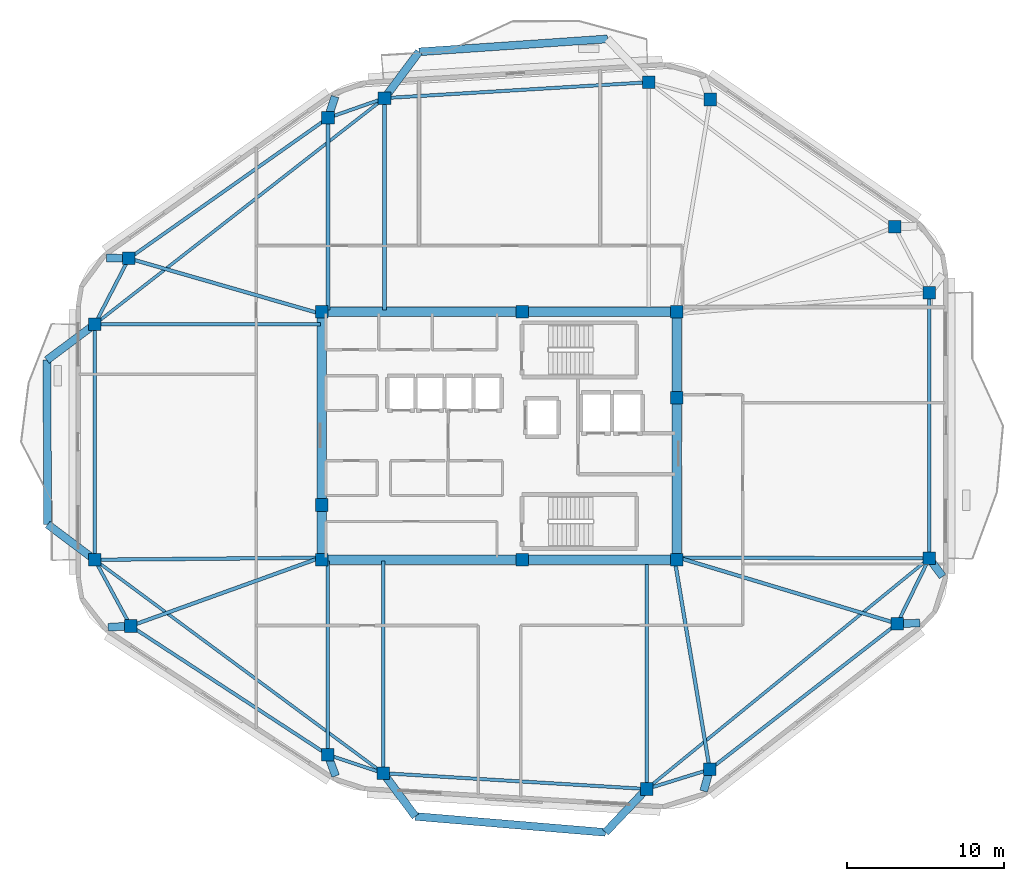
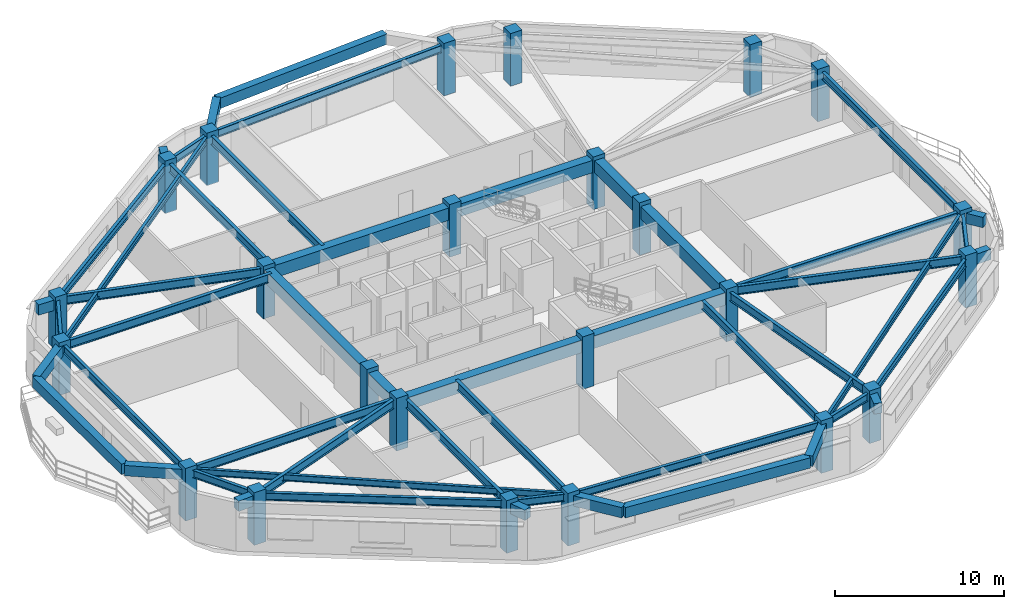
# One storey, part 1 of 9: 51 beams, 24 columns.
"""IFC4 building model written with IfcOpenShell, lengths in metres."""

from ifc_helpers import new_model, si_unit, direction, frame, origin, origin_2d, place, context, subcontext, project, spatial, rectangle, i_section, extrude, material, material_profile, profile_set, type_object, element, save


model = new_model("IFC4")

# Units and contexts
model_context = context("Model", 3, precision=1e-05, world=origin(), true_north=direction((0.0, 1.0)))
body_context = subcontext(model_context, "Body", "Model", "MODEL_VIEW")
ifc_project = project(units=[si_unit("LENGTHUNIT", "METRE"), si_unit("AREAUNIT", "SQUARE_METRE"), si_unit("VOLUMEUNIT", "CUBIC_METRE"), si_unit("PLANEANGLEUNIT", "RADIAN"), si_unit("MASSUNIT", "GRAM", prefix="KILO")], contexts=[model_context])

# Site, building, storey
site_placement = place(None, origin())
site = spatial("IfcSite", under=ifc_project, at=site_placement, CompositionType="ELEMENT")
building_placement = place(site_placement, origin())
building = spatial("IfcBuilding", under=site, at=building_placement, Name="Zulverin Broadcast Headquarters", CompositionType="ELEMENT")
storey_placement = place(building_placement, frame((0.0, 0.0, 266.800048828125)))
storey = spatial("IfcBuildingStorey", under=building, at=storey_placement, Name="L68", CompositionType="ELEMENT", Elevation=266.800048828125)

# Columns
ifc_material_1 = material(Name="Concrete C50/60", Category="concrete")
ifc_material_profile_1 = material_profile(ifc_material_1, rectangle(XDim=0.800048828125, YDim=0.800048828125, at=origin_2d()), Name="Concrete C50/60", Category="concrete")
ifc_profile_set_1 = profile_set([ifc_material_profile_1], Name="Concrete C50/60")
column_type_1 = type_object("IfcColumnType", Name="COL-RC-800", PredefinedType="COLUMN", material=ifc_profile_set_1)
for number, where, z_axis, x_axis, name in (
    (1, (29.6220703125, 3.763671875, 0.0), (0.0, 0.0, 1.0), (1.0, 0.0, 0.0), "L68 Perimeter Column T01"),
    (2, (46.3515625, 2.759521484375, 0.0), (0.0, 0.0, 1.0), (1.0, 0.0, 0.0), "L68 Perimeter Column T02"),
    (3, (50.361083984375, 4.001708984375, 0.0), (0.0, 0.0, 1.0), (1.0, 0.0, 0.0), "L68 Perimeter Column T03"),
    (4, (62.272216796875, 13.262451171875, 0.0), (0.0, 0.0, 1.0), (1.0, 0.0, 0.0), "L68 Perimeter Column T04"),
    (5, (64.300048828125, 17.40771484375, 0.0), (0.0, 0.0, 1.0), (1.0, 0.0, 0.0), "L68 Perimeter Column T05"),
    (6, (64.300048828125, 34.275634765625, 0.0), (0.0, 0.0, 1.0), (1.0, 0.0, 0.0), "L68 Perimeter Column T06"),
    (7, (62.102783203125, 38.465087890625, 0.0), (0.0, 0.0, 1.0), (1.0, 0.0, 0.0), "L68 Perimeter Column T07"),
    (8, (50.39794921875, 46.554443359375, 0.0), (0.0, 0.0, 1.0), (1.0, 0.0, 0.0), "L68 Perimeter Column T08"),
    (9, (46.4814453125, 47.6484375, 0.0), (0.0, 0.0, 1.0), (1.0, 0.0, 0.0), "L68 Perimeter Column T09"),
    (10, (29.70068359375, 46.64111328125, 0.0), (0.0, 0.0, 1.0), (1.0, 0.0, 0.0), "L68 Perimeter Column T10"),
    (11, (26.11474609375, 45.383544921875, 0.0), (0.0, 0.0, 1.0), (1.0, 0.0, 0.0), "L68 Perimeter Column T11"),
    (12, (13.46728515625, 36.457763671875, 0.0), (0.0, 0.0, 1.0), (1.0, 0.0, 0.0), "L68 Perimeter Column T12"),
    (13, (11.300048828125, 32.275390625, 0.0), (0.0, 0.0, 1.0), (1.0, 0.0, 0.0), "L68 Perimeter Column T13"),
    (14, (11.300048828125, 17.318603515625, 0.0), (0.0, 0.0, 1.0), (1.0, 0.0, 0.0), "L68 Perimeter Column T14"),
    (15, (13.576416015625, 13.11181640625, 0.0), (0.0, 0.0, 1.0), (1.0, 0.0, 0.0), "L68 Perimeter Column T15"),
    (16, (26.098876953125, 4.9287109375, 0.0), (0.0, 0.0, 1.0), (1.0, 0.0, 0.0), "L68 Perimeter Column T16"),
):
    element("IfcColumn", number, at=place(storey_placement, frame(where, z_axis=z_axis, x_axis=x_axis)), inside=storey, type_object=column_type_1, Name=name, PredefinedType="COLUMN", context=body_context, shape_type="SweptSolid", body=[
        extrude(rectangle(XDim=0.800048828125, YDim=0.800048828125, at=origin_2d()), origin(), (0.0, 0.0, 1.0), 3.800048828125),
    ])
ifc_material_profile_2 = material_profile(ifc_material_1, rectangle(XDim=0.800048828125, YDim=0.800048828125, at=origin_2d()), Name="Concrete C50/60", Category="concrete")
ifc_profile_set_2 = profile_set([ifc_material_profile_2], Name="Concrete C50/60")
column_type_2 = type_object("IfcColumnType", Name="PIL-RC-800", PredefinedType="PILASTER", material=ifc_profile_set_2)
for number, where, z_axis, x_axis, name in (
    (17, (25.72509765625, 17.324951171875, 0.0), (0.0, 0.0, 1.0), (1.0, 0.0, 0.0), "L68 Core Pilaster K01"),
    (18, (38.449951171875, 17.324951171875, 0.0), (0.0, 0.0, 1.0), (1.0, 0.0, 0.0), "L68 Core Pilaster K02"),
    (19, (48.27490234375, 17.324951171875, 0.0), (0.0, 0.0, 1.0), (1.0, 0.0, 0.0), "L68 Core Pilaster K03"),
    (20, (48.27490234375, 27.6201171875, 0.0), (0.0, 0.0, 1.0), (1.0, 0.0, 0.0), "L68 Core Pilaster K04"),
    (21, (48.27490234375, 33.074951171875, 0.0), (0.0, 0.0, 1.0), (1.0, 0.0, 0.0), "L68 Core Pilaster K05"),
    (22, (38.449951171875, 33.074951171875, 0.0), (0.0, 0.0, 1.0), (1.0, 0.0, 0.0), "L68 Core Pilaster K06"),
    (23, (25.72509765625, 33.074951171875, 0.0), (0.0, 0.0, 1.0), (1.0, 0.0, 0.0), "L68 Core Pilaster K07"),
    (24, (25.72509765625, 20.800048828125, 0.0), (0.0, 0.0, 1.0), (1.0, 0.0, 0.0), "L68 Core Pilaster K08"),
):
    element("IfcColumn", number, at=place(storey_placement, frame(where, z_axis=z_axis, x_axis=x_axis)), inside=storey, type_object=column_type_2, Name=name, PredefinedType="PILASTER", context=body_context, shape_type="SweptSolid", body=[
        extrude(rectangle(XDim=0.800048828125, YDim=0.800048828125, at=origin_2d()), origin(), (0.0, 0.0, 1.0), 3.800048828125),
    ])

# Beams
ifc_material_2 = material(Name="Concrete C60/75", Category="concrete")
ifc_material_profile_3 = material_profile(ifc_material_2, rectangle(XDim=0.60009765625, YDim=0.89990234375, at=origin_2d()), Name="Concrete C60/75", Category="concrete")
ifc_profile_set_3 = profile_set([ifc_material_profile_3], Name="Concrete C60/75")
beam_type_1 = type_object("IfcBeamType", Name="BM-CB-600x900", PredefinedType="LINTEL", material=ifc_profile_set_3)
beam_1_placement = place(storey_placement, frame((25.72509765625, 17.324951171875, 3.06005859375), z_axis=(1.0, 0.0, 0.0), x_axis=(0.0, 1.0, 0.0)))
element("IfcBeam", 25, at=beam_1_placement, inside=storey, type_object=beam_type_1, Name="L68 Core Coupling Girder K01-K02", PredefinedType="LINTEL", context=body_context, shape_type="SweptSolid", body=[
    extrude(rectangle(XDim=0.60009765625, YDim=0.89990234375, at=origin_2d()), origin(), (0.0, 0.0, 1.0), 12.724853515625),
])
beam_2_placement = place(storey_placement, frame((38.449951171875, 17.324951171875, 3.06005859375), z_axis=(1.0, 0.0, 0.0), x_axis=(0.0, 1.0, 0.0)))
element("IfcBeam", 26, at=beam_2_placement, inside=storey, type_object=beam_type_1, Name="L68 Core Coupling Girder K02-K03", PredefinedType="LINTEL", context=body_context, shape_type="SweptSolid", body=[
    extrude(rectangle(XDim=0.60009765625, YDim=0.89990234375, at=origin_2d()), origin(), (0.0, 0.0, 1.0), 9.824951171875),
])
beam_3_placement = place(storey_placement, frame((48.27490234375, 17.324951171875, 3.06005859375), z_axis=(0.0, 1.0, 0.0), x_axis=(-1.0, 0.0, 0.0)))
element("IfcBeam", 27, at=beam_3_placement, inside=storey, type_object=beam_type_1, Name="L68 Core Coupling Girder K03-K04", PredefinedType="LINTEL", context=body_context, shape_type="SweptSolid", body=[
    extrude(rectangle(XDim=0.60009765625, YDim=0.89990234375, at=origin_2d()), origin(), (0.0, 0.0, 1.0), 10.295166015625),
])
beam_4_placement = place(storey_placement, frame((48.27490234375, 27.6201171875, 3.06005859375), z_axis=(0.0, 1.0, 0.0), x_axis=(-1.0, 0.0, 0.0)))
element("IfcBeam", 28, at=beam_4_placement, inside=storey, type_object=beam_type_1, Name="L68 Core Coupling Girder K04-K05", PredefinedType="LINTEL", context=body_context, shape_type="SweptSolid", body=[
    extrude(rectangle(XDim=0.60009765625, YDim=0.89990234375, at=origin_2d()), origin(), (0.0, 0.0, 1.0), 5.454833984375),
])
beam_5_placement = place(storey_placement, frame((48.27490234375, 33.074951171875, 3.06005859375), z_axis=(-1.0, 0.0, 0.0), x_axis=(0.0, -1.0, 0.0)))
element("IfcBeam", 29, at=beam_5_placement, inside=storey, type_object=beam_type_1, Name="L68 Core Coupling Girder K05-K06", PredefinedType="LINTEL", context=body_context, shape_type="SweptSolid", body=[
    extrude(rectangle(XDim=0.60009765625, YDim=0.89990234375, at=origin_2d()), origin(), (0.0, 0.0, 1.0), 9.824951171875),
])
beam_6_placement = place(storey_placement, frame((38.449951171875, 33.074951171875, 3.06005859375), z_axis=(-1.0, 0.0, 0.0), x_axis=(0.0, -1.0, 0.0)))
element("IfcBeam", 30, at=beam_6_placement, inside=storey, type_object=beam_type_1, Name="L68 Core Coupling Girder K06-K07", PredefinedType="LINTEL", context=body_context, shape_type="SweptSolid", body=[
    extrude(rectangle(XDim=0.60009765625, YDim=0.89990234375, at=origin_2d()), origin(), (0.0, 0.0, 1.0), 12.724853515625),
])
beam_7_placement = place(storey_placement, frame((25.72509765625, 33.074951171875, 3.06005859375), z_axis=(0.0, -1.0, 0.0), x_axis=(1.0, 0.0, 0.0)))
element("IfcBeam", 31, at=beam_7_placement, inside=storey, type_object=beam_type_1, Name="L68 Core Coupling Girder K07-K08", PredefinedType="LINTEL", context=body_context, shape_type="SweptSolid", body=[
    extrude(rectangle(XDim=0.60009765625, YDim=0.89990234375, at=origin_2d()), origin(), (0.0, 0.0, 1.0), 12.27490234375),
])
beam_8_placement = place(storey_placement, frame((25.72509765625, 20.800048828125, 3.06005859375), z_axis=(0.0, -1.0, 0.0), x_axis=(1.0, 0.0, 0.0)))
element("IfcBeam", 32, at=beam_8_placement, inside=storey, type_object=beam_type_1, Name="L68 Core Coupling Girder K08-K01", PredefinedType="LINTEL", context=body_context, shape_type="SweptSolid", body=[
    extrude(rectangle(XDim=0.60009765625, YDim=0.89990234375, at=origin_2d()), origin(), (0.0, 0.0, 1.0), 3.47509765625),
])
ifc_material_3 = material(Name="Concrete C40/50", Category="concrete")
ifc_material_profile_4 = material_profile(ifc_material_3, rectangle(XDim=0.5, YDim=0.75, at=origin_2d()), Name="Concrete C40/50", Category="concrete")
ifc_profile_set_4 = profile_set([ifc_material_profile_4], Name="Concrete C40/50")
beam_type_2 = type_object("IfcBeamType", Name="BM-RC-500x750", PredefinedType="BEAM", material=ifc_profile_set_4)
beam_9_placement = place(storey_placement, frame((50.361083984375, 4.001708984375, 3.135009765625), z_axis=(-0.269914876125, -0.962884188076, 0.0), x_axis=(0.962884188076, -0.269914876125, 0.0)))
element("IfcBeam", 33, at=beam_9_placement, inside=storey, type_object=beam_type_2, Name="L69 Plate Overhang Back-Spanned Beam OVR-03", PredefinedType="BEAM", context=body_context, shape_type="SweptSolid", body=[
    extrude(rectangle(XDim=0.5, YDim=0.75, at=origin_2d()), origin(), (0.0, 0.0, 1.0), 1.429931640625),
])
beam_10_placement = place(storey_placement, frame((62.272216796875, 13.262451171875, 3.135009765625), z_axis=(0.999706131466, 0.024241507969, 0.0), x_axis=(-0.024241507969, 0.999706131466, 0.0)))
element("IfcBeam", 34, at=beam_10_placement, inside=storey, type_object=beam_type_2, Name="L69 Plate Overhang Back-Spanned Beam OVR-04", PredefinedType="BEAM", context=body_context, shape_type="SweptSolid", body=[
    extrude(rectangle(XDim=0.5, YDim=0.75, at=origin_2d()), origin(), (0.0, 0.0, 1.0), 1.43017578125),
])
beam_11_placement = place(storey_placement, frame((64.300048828125, 17.40771484375, 3.135009765625), z_axis=(0.594357454608, -0.80420097995, 0.0), x_axis=(0.80420097995, 0.594357454608, 0.0)))
element("IfcBeam", 35, at=beam_11_placement, inside=storey, type_object=beam_type_2, Name="L69 Plate Overhang Back-Spanned Beam OVR-05", PredefinedType="BEAM", context=body_context, shape_type="SweptSolid", body=[
    extrude(rectangle(XDim=0.5, YDim=0.75, at=origin_2d()), origin(), (0.0, 0.0, 1.0), 1.429931640625),
])
beam_12_placement = place(storey_placement, frame((26.11474609375, 45.383544921875, 3.135009765625), z_axis=(0.314280982662, 0.94933000792, 0.0), x_axis=(-0.94933000792, 0.314280982662, 0.0)))
element("IfcBeam", 36, at=beam_12_placement, inside=storey, type_object=beam_type_2, Name="L69 Plate Overhang Back-Spanned Beam OVR-11", PredefinedType="BEAM", context=body_context, shape_type="SweptSolid", body=[
    extrude(rectangle(XDim=0.5, YDim=0.75, at=origin_2d()), origin(), (0.0, 0.0, 1.0), 1.43017578125),
])
beam_13_placement = place(storey_placement, frame((13.46728515625, 36.457763671875, 3.135009765625), z_axis=(-0.999761201155, 0.02185270385, 0.0), x_axis=(-0.02185270385, -0.999761201155, 0.0)))
element("IfcBeam", 37, at=beam_13_placement, inside=storey, type_object=beam_type_2, Name="L69 Plate Overhang Back-Spanned Beam OVR-12", PredefinedType="BEAM", context=body_context, shape_type="SweptSolid", body=[
    extrude(rectangle(XDim=0.5, YDim=0.75, at=origin_2d()), origin(), (0.0, 0.0, 1.0), 1.429931640625),
])
beam_14_placement = place(storey_placement, frame((13.576416015625, 13.11181640625, 3.135009765625), z_axis=(-0.998333895448, -0.057701240879, 0.0), x_axis=(0.057701240879, -0.998333895448, 0.0)))
element("IfcBeam", 38, at=beam_14_placement, inside=storey, type_object=beam_type_2, Name="L69 Plate Overhang Back-Spanned Beam OVR-15", PredefinedType="BEAM", context=body_context, shape_type="SweptSolid", body=[
    extrude(rectangle(XDim=0.5, YDim=0.75, at=origin_2d()), origin(), (0.0, 0.0, 1.0), 1.43017578125),
])
beam_15_placement = place(storey_placement, frame((26.098876953125, 4.9287109375, 3.135009765625), z_axis=(0.348109371259, -0.93745392721, 0.0), x_axis=(0.93745392721, 0.348109371259, 0.0)))
element("IfcBeam", 39, at=beam_15_placement, inside=storey, type_object=beam_type_2, Name="L69 Plate Overhang Back-Spanned Beam OVR-16", PredefinedType="BEAM", context=body_context, shape_type="SweptSolid", body=[
    extrude(rectangle(XDim=0.5, YDim=0.75, at=origin_2d()), origin(), (0.0, 0.0, 1.0), 1.429931640625),
])
beam_16_placement = place(storey_placement, frame((29.70068359375, 46.64111328125, 3.135009765625), z_axis=(0.597770934078, 0.801666957265, 0.0), x_axis=(-0.801666957265, 0.597770934078, 0.0)))
element("IfcBeam", 40, at=beam_16_placement, inside=storey, type_object=beam_type_2, Name="L69 Balcony Column-Framed Cantilever BAL_N-2", PredefinedType="BEAM", context=body_context, shape_type="SweptSolid", body=[
    extrude(rectangle(XDim=0.5, YDim=0.75, at=origin_2d()), origin(), (0.0, 0.0, 1.0), 3.666259765625),
])
beam_17_placement = place(storey_placement, frame((43.86181640625, 50.401123046875, 3.135009765625), z_axis=(-0.997657031837, -0.068413791197, 0.0), x_axis=(0.068413791197, -0.997657031837, 0.0)))
element("IfcBeam", 41, at=beam_17_placement, inside=storey, type_object=beam_type_2, Name="L69 Balcony Outer Edge Trimmer Beam BAL_N", PredefinedType="BEAM", context=body_context, shape_type="SweptSolid", body=[
    extrude(rectangle(XDim=0.5, YDim=0.75, at=origin_2d()), origin(), (0.0, 0.0, 1.0), 11.99755859375),
])
beam_18_placement = place(storey_placement, frame((11.300048828125, 32.275390625, 3.135009765625), z_axis=(-0.80024663654, -0.599671010394, 0.0), x_axis=(0.599671010394, -0.80024663654, 0.0)))
element("IfcBeam", 42, at=beam_18_placement, inside=storey, type_object=beam_type_2, Name="L69 Balcony Column-Framed Cantilever BAL_W-1", PredefinedType="BEAM", context=body_context, shape_type="SweptSolid", body=[
    extrude(rectangle(XDim=0.5, YDim=0.75, at=origin_2d()), origin(), (0.0, 0.0, 1.0), 3.800048828125),
])
beam_19_placement = place(storey_placement, frame((11.300048828125, 17.318603515625, 3.135009765625), z_axis=(-0.80025049791, 0.599665857452, 0.0), x_axis=(-0.599665857452, -0.80025049791, 0.0)))
element("IfcBeam", 43, at=beam_19_placement, inside=storey, type_object=beam_type_2, Name="L69 Balcony Column-Framed Cantilever BAL_W-2", PredefinedType="BEAM", context=body_context, shape_type="SweptSolid", body=[
    extrude(rectangle(XDim=0.5, YDim=0.75, at=origin_2d()), origin(), (0.0, 0.0, 1.0), 3.741455078125),
])
beam_20_placement = place(storey_placement, frame((8.259033203125, 29.99658203125, 3.135009765625), z_axis=(0.004492338674, -0.999989909396, 0.0), x_axis=(0.999989909396, 0.004492338674, 0.0)))
element("IfcBeam", 44, at=beam_20_placement, inside=storey, type_object=beam_type_2, Name="L69 Balcony Outer Edge Trimmer Beam BAL_W", PredefinedType="BEAM", context=body_context, shape_type="SweptSolid", body=[
    extrude(rectangle(XDim=0.5, YDim=0.75, at=origin_2d()), origin(), (0.0, 0.0, 1.0), 10.434326171875),
])
beam_21_placement = place(storey_placement, frame((29.6220703125, 3.763671875, 3.135009765625), z_axis=(0.596524912224, -0.802594560844, 0.0), x_axis=(0.802594560844, 0.596524912224, 0.0)))
element("IfcBeam", 45, at=beam_21_placement, inside=storey, type_object=beam_type_2, Name="L69 Balcony Column-Framed Cantilever BAL_S-1", PredefinedType="BEAM", context=body_context, shape_type="SweptSolid", body=[
    extrude(rectangle(XDim=0.5, YDim=0.75, at=origin_2d()), origin(), (0.0, 0.0, 1.0), 3.4228515625),
])
beam_22_placement = place(storey_placement, frame((46.3515625, 2.759521484375, 3.135009765625), z_axis=(-0.688229218548, -0.725493309918, 0.0), x_axis=(0.725493309918, -0.688229218548, 0.0)))
element("IfcBeam", 46, at=beam_22_placement, inside=storey, type_object=beam_type_2, Name="L69 Balcony Column-Framed Cantilever BAL_S-2", PredefinedType="BEAM", context=body_context, shape_type="SweptSolid", body=[
    extrude(rectangle(XDim=0.5, YDim=0.75, at=origin_2d()), origin(), (0.0, 0.0, 1.0), 3.800048828125),
])
beam_23_placement = place(storey_placement, frame((31.663818359375, 1.0166015625, 3.135009765625), z_axis=(0.99649176449, -0.08369087945, 0.0), x_axis=(0.08369087945, 0.99649176449, 0.0)))
element("IfcBeam", 47, at=beam_23_placement, inside=storey, type_object=beam_type_2, Name="L69 Balcony Outer Edge Trimmer Beam BAL_S", PredefinedType="BEAM", context=body_context, shape_type="SweptSolid", body=[
    extrude(rectangle(XDim=0.5, YDim=0.75, at=origin_2d()), origin(), (0.0, 0.0, 1.0), 12.114990234375),
])
ifc_material_4 = material(Name="Structural steel S355JR", Category="steel")
ifc_material_profile_5 = material_profile(ifc_material_4, i_section(OverallWidth=0.19287109375, OverallDepth=0.46728515625, WebThickness=0.011474609375, FlangeThickness=0.01953125, at=origin_2d()), Name="Structural steel S355JR", Category="steel")
ifc_profile_set_5 = profile_set([ifc_material_profile_5], Name="Structural steel S355JR")
beam_type_3 = type_object("IfcBeamType", Name="BM-UB-457", PredefinedType="JOIST", material=ifc_profile_set_5)
beam_24_placement = place(storey_placement, frame((46.3515625, 2.759521484375, 3.2763671875), z_axis=(0.77473799882, 0.632282399869, 0.0), x_axis=(-0.632282399869, 0.77473799882, 0.0)))
element("IfcBeam", 48, at=beam_24_placement, inside=storey, type_object=beam_type_3, Name="L68 Chordal Floor Joist J-01", PredefinedType="JOIST", context=body_context, shape_type="SweptSolid", body=[
    extrude(i_section(OverallWidth=0.19287109375, OverallDepth=0.46728515625, WebThickness=0.011474609375, FlangeThickness=0.01953125, at=origin_2d()), origin(), (0.0, 0.0, 1.0), 23.167236328125),
])
beam_25_placement = place(storey_placement, frame((29.70068359375, 46.64111328125, 3.2763671875), z_axis=(-0.788227438956, -0.615384030079, 0.0), x_axis=(0.615384030079, -0.788227438956, 0.0)))
element("IfcBeam", 49, at=beam_25_placement, inside=storey, type_object=beam_type_3, Name="L68 Chordal Floor Joist J-03", PredefinedType="JOIST", context=body_context, shape_type="SweptSolid", body=[
    extrude(i_section(OverallWidth=0.19287109375, OverallDepth=0.46728515625, WebThickness=0.011474609375, FlangeThickness=0.01953125, at=origin_2d()), origin(), (0.0, 0.0, 1.0), 23.34423828125),
])
beam_26_placement = place(storey_placement, frame((11.300048828125, 17.318603515625, 3.2763671875), z_axis=(0.803912476144, -0.594747619332, 0.0), x_axis=(0.594747619332, 0.803912476144, 0.0)))
element("IfcBeam", 50, at=beam_26_placement, inside=storey, type_object=beam_type_3, Name="L68 Chordal Floor Joist J-04", PredefinedType="JOIST", context=body_context, shape_type="SweptSolid", body=[
    extrude(i_section(OverallWidth=0.19287109375, OverallDepth=0.46728515625, WebThickness=0.011474609375, FlangeThickness=0.01953125, at=origin_2d()), origin(), (0.0, 0.0, 1.0), 22.791015625),
])
ifc_material_profile_6 = material_profile(ifc_material_4, i_section(OverallWidth=0.2119140625, OverallDepth=0.54443359375, WebThickness=0.0126953125, FlangeThickness=0.021240234375, at=origin_2d()), Name="Structural steel S355JR", Category="steel")
ifc_profile_set_6 = profile_set([ifc_material_profile_6], Name="Structural steel S355JR")
beam_type_4 = type_object("IfcBeamType", Name="BM-UB-533", PredefinedType="SPANDREL", material=ifc_profile_set_6)
beam_27_placement = place(storey_placement, frame((29.6220703125, 3.763671875, 3.23779296875), z_axis=(0.998203486609, -0.059914934044, 0.0), x_axis=(0.059914934044, 0.998203486609, 0.0)))
element("IfcBeam", 51, at=beam_27_placement, inside=storey, type_object=beam_type_4, Name="L68 Perimeter Spandrel Beam SP-01", PredefinedType="SPANDREL", context=body_context, shape_type="SweptSolid", body=[
    extrude(i_section(OverallWidth=0.2119140625, OverallDepth=0.54443359375, WebThickness=0.0126953125, FlangeThickness=0.021240234375, at=origin_2d()), origin(), (0.0, 0.0, 1.0), 16.759521484375),
])
beam_28_placement = place(storey_placement, frame((46.3515625, 2.759521484375, 3.23779296875), z_axis=(0.955208799219, 0.295932677978, 0.0), x_axis=(-0.295932677978, 0.955208799219, 0.0)))
element("IfcBeam", 52, at=beam_28_placement, inside=storey, type_object=beam_type_4, Name="L68 Perimeter Spandrel Beam SP-02", PredefinedType="SPANDREL", context=body_context, shape_type="SweptSolid", body=[
    extrude(i_section(OverallWidth=0.2119140625, OverallDepth=0.54443359375, WebThickness=0.0126953125, FlangeThickness=0.021240234375, at=origin_2d()), origin(), (0.0, 0.0, 1.0), 4.197509765625),
])
beam_29_placement = place(storey_placement, frame((50.361083984375, 4.001708984375, 3.23779296875), z_axis=(0.789463732329, 0.613797210271, 0.0), x_axis=(-0.613797210271, 0.789463732329, 0.0)))
element("IfcBeam", 53, at=beam_29_placement, inside=storey, type_object=beam_type_4, Name="L68 Perimeter Spandrel Beam SP-03", PredefinedType="SPANDREL", context=body_context, shape_type="SweptSolid", body=[
    extrude(i_section(OverallWidth=0.2119140625, OverallDepth=0.54443359375, WebThickness=0.0126953125, FlangeThickness=0.021240234375, at=origin_2d()), origin(), (0.0, 0.0, 1.0), 15.087646484375),
])
beam_30_placement = place(storey_placement, frame((62.272216796875, 13.262451171875, 3.23779296875), z_axis=(0.439430258265, 0.898276710219, 0.0), x_axis=(-0.898276710219, 0.439430258265, 0.0)))
element("IfcBeam", 54, at=beam_30_placement, inside=storey, type_object=beam_type_4, Name="L68 Perimeter Spandrel Beam SP-04", PredefinedType="SPANDREL", context=body_context, shape_type="SweptSolid", body=[
    extrude(i_section(OverallWidth=0.2119140625, OverallDepth=0.54443359375, WebThickness=0.0126953125, FlangeThickness=0.021240234375, at=origin_2d()), origin(), (0.0, 0.0, 1.0), 4.61474609375),
])
beam_31_placement = place(storey_placement, frame((64.300048828125, 17.40771484375, 3.23779296875), z_axis=(0.0, 1.0, 0.0), x_axis=(-1.0, 0.0, 0.0)))
element("IfcBeam", 55, at=beam_31_placement, inside=storey, type_object=beam_type_4, Name="L68 Perimeter Spandrel Beam SP-05", PredefinedType="SPANDREL", context=body_context, shape_type="SweptSolid", body=[
    extrude(i_section(OverallWidth=0.2119140625, OverallDepth=0.54443359375, WebThickness=0.0126953125, FlangeThickness=0.021240234375, at=origin_2d()), origin(), (0.0, 0.0, 1.0), 16.867919921875),
])
beam_32_placement = place(storey_placement, frame((46.4814453125, 47.6484375, 3.23779296875), z_axis=(-0.99820314332, -0.059920653088, 0.0), x_axis=(0.059920653088, -0.99820314332, 0.0)))
element("IfcBeam", 56, at=beam_32_placement, inside=storey, type_object=beam_type_4, Name="L68 Perimeter Spandrel Beam SP-09", PredefinedType="SPANDREL", context=body_context, shape_type="SweptSolid", body=[
    extrude(i_section(OverallWidth=0.2119140625, OverallDepth=0.54443359375, WebThickness=0.0126953125, FlangeThickness=0.021240234375, at=origin_2d()), origin(), (0.0, 0.0, 1.0), 16.81103515625),
])
beam_33_placement = place(storey_placement, frame((29.70068359375, 46.64111328125, 3.23779296875), z_axis=(-0.943653845921, -0.330934161243, 0.0), x_axis=(0.330934161243, -0.943653845921, 0.0)))
element("IfcBeam", 57, at=beam_33_placement, inside=storey, type_object=beam_type_4, Name="L68 Perimeter Spandrel Beam SP-10", PredefinedType="SPANDREL", context=body_context, shape_type="SweptSolid", body=[
    extrude(i_section(OverallWidth=0.2119140625, OverallDepth=0.54443359375, WebThickness=0.0126953125, FlangeThickness=0.021240234375, at=origin_2d()), origin(), (0.0, 0.0, 1.0), 3.800048828125),
])
beam_34_placement = place(storey_placement, frame((26.11474609375, 45.383544921875, 3.23779296875), z_axis=(-0.817023806154, -0.576603937012, 0.0), x_axis=(0.576603937012, -0.817023806154, 0.0)))
element("IfcBeam", 58, at=beam_34_placement, inside=storey, type_object=beam_type_4, Name="L68 Perimeter Spandrel Beam SP-11", PredefinedType="SPANDREL", context=body_context, shape_type="SweptSolid", body=[
    extrude(i_section(OverallWidth=0.2119140625, OverallDepth=0.54443359375, WebThickness=0.0126953125, FlangeThickness=0.021240234375, at=origin_2d()), origin(), (0.0, 0.0, 1.0), 15.47998046875),
])
beam_35_placement = place(storey_placement, frame((13.46728515625, 36.457763671875, 3.23779296875), z_axis=(-0.460082658911, -0.887876087621, 0.0), x_axis=(0.887876087621, -0.460082658911, 0.0)))
element("IfcBeam", 59, at=beam_35_placement, inside=storey, type_object=beam_type_4, Name="L68 Perimeter Spandrel Beam SP-12", PredefinedType="SPANDREL", context=body_context, shape_type="SweptSolid", body=[
    extrude(i_section(OverallWidth=0.2119140625, OverallDepth=0.54443359375, WebThickness=0.0126953125, FlangeThickness=0.021240234375, at=origin_2d()), origin(), (0.0, 0.0, 1.0), 4.71044921875),
])
beam_36_placement = place(storey_placement, frame((11.300048828125, 32.275390625, 3.23779296875), z_axis=(0.0, -1.0, 0.0), x_axis=(1.0, 0.0, 0.0)))
element("IfcBeam", 60, at=beam_36_placement, inside=storey, type_object=beam_type_4, Name="L68 Perimeter Spandrel Beam SP-13", PredefinedType="SPANDREL", context=body_context, shape_type="SweptSolid", body=[
    extrude(i_section(OverallWidth=0.2119140625, OverallDepth=0.54443359375, WebThickness=0.0126953125, FlangeThickness=0.021240234375, at=origin_2d()), origin(), (0.0, 0.0, 1.0), 14.956787109375),
])
beam_37_placement = place(storey_placement, frame((11.300048828125, 17.318603515625, 3.23779296875), z_axis=(0.475909852672, -0.879494066, 0.0), x_axis=(0.879494066, 0.475909852672, 0.0)))
element("IfcBeam", 61, at=beam_37_placement, inside=storey, type_object=beam_type_4, Name="L68 Perimeter Spandrel Beam SP-14", PredefinedType="SPANDREL", context=body_context, shape_type="SweptSolid", body=[
    extrude(i_section(OverallWidth=0.2119140625, OverallDepth=0.54443359375, WebThickness=0.0126953125, FlangeThickness=0.021240234375, at=origin_2d()), origin(), (0.0, 0.0, 1.0), 4.783203125),
])
beam_38_placement = place(storey_placement, frame((13.576416015625, 13.11181640625, 3.23779296875), z_axis=(0.837112191398, -0.547031241349, 0.0), x_axis=(0.547031241349, 0.837112191398, 0.0)))
element("IfcBeam", 62, at=beam_38_placement, inside=storey, type_object=beam_type_4, Name="L68 Perimeter Spandrel Beam SP-15", PredefinedType="SPANDREL", context=body_context, shape_type="SweptSolid", body=[
    extrude(i_section(OverallWidth=0.2119140625, OverallDepth=0.54443359375, WebThickness=0.0126953125, FlangeThickness=0.021240234375, at=origin_2d()), origin(), (0.0, 0.0, 1.0), 14.959228515625),
])
beam_39_placement = place(storey_placement, frame((26.098876953125, 4.9287109375, 3.23779296875), z_axis=(0.949437184981, -0.313957054031, 0.0), x_axis=(0.313957054031, 0.949437184981, 0.0)))
element("IfcBeam", 63, at=beam_39_placement, inside=storey, type_object=beam_type_4, Name="L68 Perimeter Spandrel Beam SP-16", PredefinedType="SPANDREL", context=body_context, shape_type="SweptSolid", body=[
    extrude(i_section(OverallWidth=0.2119140625, OverallDepth=0.54443359375, WebThickness=0.0126953125, FlangeThickness=0.021240234375, at=origin_2d()), origin(), (0.0, 0.0, 1.0), 3.7109375),
])
ifc_material_profile_7 = material_profile(ifc_material_4, i_section(OverallWidth=0.230224609375, OverallDepth=0.6171875, WebThickness=0.01318359375, FlangeThickness=0.022216796875, at=origin_2d()), Name="Structural steel S355JR", Category="steel")
ifc_profile_set_7 = profile_set([ifc_material_profile_7], Name="Structural steel S355JR")
beam_type_5 = type_object("IfcBeamType", Name="BM-UB-610", PredefinedType="BEAM", material=ifc_profile_set_7)
beam_40_placement = place(storey_placement, frame((29.6220703125, 17.22509765625, 3.201416015625), z_axis=(0.0, -1.0, 0.0), x_axis=(1.0, 0.0, 0.0)))
element("IfcBeam", 64, at=beam_40_placement, inside=storey, type_object=beam_type_5, Name="L68 Radial Primary Floor Beam RB-01", PredefinedType="BEAM", context=body_context, shape_type="SweptSolid", body=[
    extrude(i_section(OverallWidth=0.230224609375, OverallDepth=0.6171875, WebThickness=0.01318359375, FlangeThickness=0.022216796875, at=origin_2d()), origin(), (0.0, 0.0, 1.0), 13.46142578125),
])
beam_41_placement = place(storey_placement, frame((46.3515625, 17.22509765625, 3.201416015625), z_axis=(0.0, -1.0, 0.0), x_axis=(1.0, 0.0, 0.0)))
element("IfcBeam", 65, at=beam_41_placement, inside=storey, type_object=beam_type_5, Name="L68 Radial Primary Floor Beam RB-02", PredefinedType="BEAM", context=body_context, shape_type="SweptSolid", body=[
    extrude(i_section(OverallWidth=0.230224609375, OverallDepth=0.6171875, WebThickness=0.01318359375, FlangeThickness=0.022216796875, at=origin_2d()), origin(), (0.0, 0.0, 1.0), 14.465576171875),
])
beam_42_placement = place(storey_placement, frame((48.14990234375, 17.22509765625, 3.201416015625), z_axis=(0.1649275445, -0.986305685407, 0.0), x_axis=(0.986305685407, 0.1649275445, 0.0)))
element("IfcBeam", 66, at=beam_42_placement, inside=storey, type_object=beam_type_5, Name="L68 Radial Primary Floor Beam RB-03", PredefinedType="BEAM", context=body_context, shape_type="SweptSolid", body=[
    extrude(i_section(OverallWidth=0.230224609375, OverallDepth=0.6171875, WebThickness=0.01318359375, FlangeThickness=0.022216796875, at=origin_2d()), origin(), (0.0, 0.0, 1.0), 13.406982421875),
])
beam_43_placement = place(storey_placement, frame((48.375, 17.449951171875, 3.201416015625), z_axis=(0.957477907331, -0.288506597799, 0.0), x_axis=(0.288506597799, 0.957477907331, 0.0)))
element("IfcBeam", 67, at=beam_43_placement, inside=storey, type_object=beam_type_5, Name="L68 Radial Primary Floor Beam RB-04", PredefinedType="BEAM", context=body_context, shape_type="SweptSolid", body=[
    extrude(i_section(OverallWidth=0.230224609375, OverallDepth=0.6171875, WebThickness=0.01318359375, FlangeThickness=0.022216796875, at=origin_2d()), origin(), (0.0, 0.0, 1.0), 14.514404296875),
])
beam_44_placement = place(storey_placement, frame((48.375, 17.449951171875, 3.201416015625), z_axis=(0.999996482951, -0.002652185248, 0.0), x_axis=(0.002652185248, 0.999996482951, 0.0)))
element("IfcBeam", 68, at=beam_44_placement, inside=storey, type_object=beam_type_5, Name="L68 Radial Primary Floor Beam RB-05", PredefinedType="BEAM", context=body_context, shape_type="SweptSolid", body=[
    extrude(i_section(OverallWidth=0.230224609375, OverallDepth=0.6171875, WebThickness=0.01318359375, FlangeThickness=0.022216796875, at=origin_2d()), origin(), (0.0, 0.0, 1.0), 15.925048828125),
])
beam_45_placement = place(storey_placement, frame((29.70068359375, 33.175048828125, 3.201416015625), z_axis=(0.0, 1.0, 0.0), x_axis=(-1.0, 0.0, 0.0)))
element("IfcBeam", 69, at=beam_45_placement, inside=storey, type_object=beam_type_5, Name="L68 Radial Primary Floor Beam RB-10", PredefinedType="BEAM", context=body_context, shape_type="SweptSolid", body=[
    extrude(i_section(OverallWidth=0.230224609375, OverallDepth=0.6171875, WebThickness=0.01318359375, FlangeThickness=0.022216796875, at=origin_2d()), origin(), (0.0, 0.0, 1.0), 13.466064453125),
])
beam_46_placement = place(storey_placement, frame((26.11474609375, 33.175048828125, 3.201416015625), z_axis=(0.0, 1.0, 0.0), x_axis=(-1.0, 0.0, 0.0)))
element("IfcBeam", 70, at=beam_46_placement, inside=storey, type_object=beam_type_5, Name="L68 Radial Primary Floor Beam RB-11", PredefinedType="BEAM", context=body_context, shape_type="SweptSolid", body=[
    extrude(i_section(OverallWidth=0.230224609375, OverallDepth=0.6171875, WebThickness=0.01318359375, FlangeThickness=0.022216796875, at=origin_2d()), origin(), (0.0, 0.0, 1.0), 12.20849609375),
])
beam_47_placement = place(storey_placement, frame((25.625, 32.949951171875, 3.201416015625), z_axis=(-0.960807187215, 0.277217512067, 0.0), x_axis=(-0.277217512067, -0.960807187215, 0.0)))
element("IfcBeam", 71, at=beam_47_placement, inside=storey, type_object=beam_type_5, Name="L68 Radial Primary Floor Beam RB-12", PredefinedType="BEAM", context=body_context, shape_type="SweptSolid", body=[
    extrude(i_section(OverallWidth=0.230224609375, OverallDepth=0.6171875, WebThickness=0.01318359375, FlangeThickness=0.022216796875, at=origin_2d()), origin(), (0.0, 0.0, 1.0), 12.653564453125),
])
beam_48_placement = place(storey_placement, frame((25.625, 32.275390625, 3.201416015625), z_axis=(-1.0, 0.0, 0.0), x_axis=(0.0, -1.0, 0.0)))
element("IfcBeam", 72, at=beam_48_placement, inside=storey, type_object=beam_type_5, Name="L68 Radial Primary Floor Beam RB-13", PredefinedType="BEAM", context=body_context, shape_type="SweptSolid", body=[
    extrude(i_section(OverallWidth=0.230224609375, OverallDepth=0.6171875, WebThickness=0.01318359375, FlangeThickness=0.022216796875, at=origin_2d()), origin(), (0.0, 0.0, 1.0), 14.324951171875),
])
beam_49_placement = place(storey_placement, frame((25.625, 17.449951171875, 3.201416015625), z_axis=(-0.999957965975, -0.009168766693, 0.0), x_axis=(0.009168766693, -0.999957965975, 0.0)))
element("IfcBeam", 73, at=beam_49_placement, inside=storey, type_object=beam_type_5, Name="L68 Radial Primary Floor Beam RB-14", PredefinedType="BEAM", context=body_context, shape_type="SweptSolid", body=[
    extrude(i_section(OverallWidth=0.230224609375, OverallDepth=0.6171875, WebThickness=0.01318359375, FlangeThickness=0.022216796875, at=origin_2d()), origin(), (0.0, 0.0, 1.0), 14.325439453125),
])
beam_50_placement = place(storey_placement, frame((25.625, 17.449951171875, 3.201416015625), z_axis=(-0.940871370382, -0.338764024646, 0.0), x_axis=(0.338764024646, -0.940871370382, 0.0)))
element("IfcBeam", 74, at=beam_50_placement, inside=storey, type_object=beam_type_5, Name="L68 Radial Primary Floor Beam RB-15", PredefinedType="BEAM", context=body_context, shape_type="SweptSolid", body=[
    extrude(i_section(OverallWidth=0.230224609375, OverallDepth=0.6171875, WebThickness=0.01318359375, FlangeThickness=0.022216796875, at=origin_2d()), origin(), (0.0, 0.0, 1.0), 12.8056640625),
])
beam_51_placement = place(storey_placement, frame((26.098876953125, 17.22509765625, 3.201416015625), z_axis=(0.0, -1.0, 0.0), x_axis=(1.0, 0.0, 0.0)))
element("IfcBeam", 75, at=beam_51_placement, inside=storey, type_object=beam_type_5, Name="L68 Radial Primary Floor Beam RB-16", PredefinedType="BEAM", context=body_context, shape_type="SweptSolid", body=[
    extrude(i_section(OverallWidth=0.230224609375, OverallDepth=0.6171875, WebThickness=0.01318359375, FlangeThickness=0.022216796875, at=origin_2d()), origin(), (0.0, 0.0, 1.0), 12.29638671875),
])

save(model, "model.ifc")
